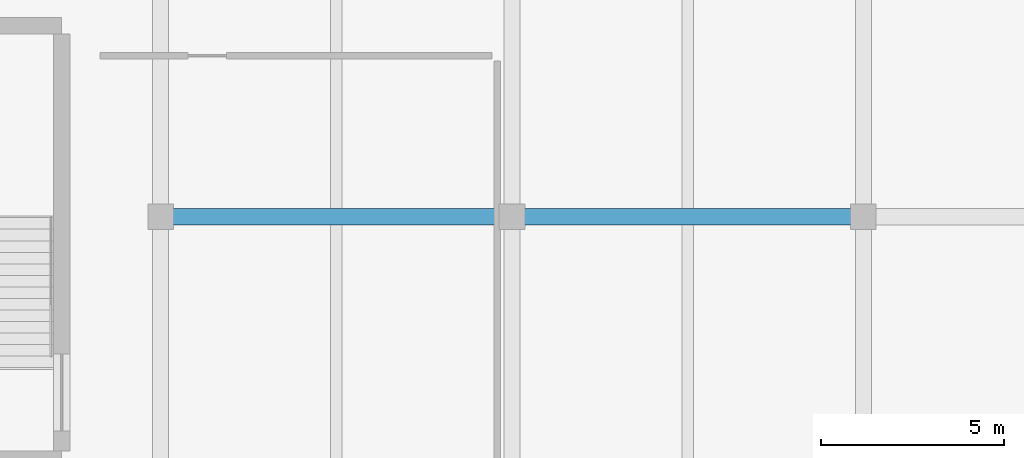
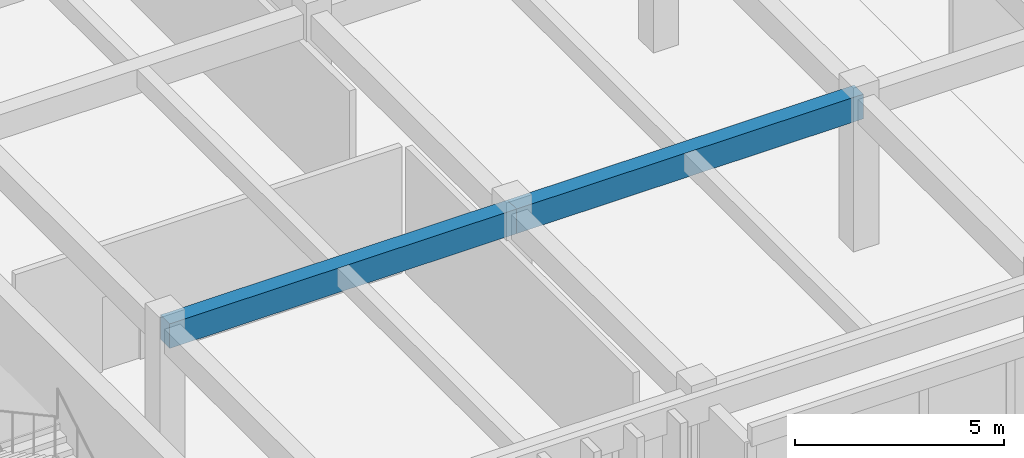
# One storey, part 54 of 133: 2 beams.
"""IFC4 building model written with IfcOpenShell, lengths in metres."""

import ifcopenshell
import ifcopenshell.guid

model = None  # the IFC model being written
_history = None  # IfcOwnerHistory: only IFC2X3 demands one
_inside = {}  # id of a spatial element -> (the spatial element, [elements in it])
_under = {}  # id of a project, library or spatial element -> (it, [spatial elements below it])
_declared = {}  # id of a project -> (the project, [libraries it declares])
_typed = {}  # id of a type object -> (the type object, [elements of that type])
_made_of = {}  # id of a material, layer set ... -> (it, [elements and type objects made of it])


def new_model(schema):
    """Start an empty IFC model of exactly this schema.

    Asked for "IFC4X3", IfcOpenShell would pick the latest addendum, in which some entities
    have other attributes; the version numbers below select the first issue.
    IFC2X3 requires an IfcOwnerHistory on every rooted entity: one is made here for all.
    """
    global model, _history
    if schema == "IFC4X3":
        model = ifcopenshell.file(schema_version=(4, 3, 0, 0))
    else:
        model = ifcopenshell.file(schema=schema)
    _inside.clear()
    _under.clear()
    _declared.clear()
    _typed.clear()
    _made_of.clear()
    _history = None
    if model.schema == "IFC2X3":
        org = make("IfcOrganization", Name="unknown")
        user = make(
            "IfcPersonAndOrganization",
            ThePerson=make("IfcPerson", FamilyName="unknown"),
            TheOrganization=org,
        )
        app = make(
            "IfcApplication",
            ApplicationDeveloper=org,
            Version="unknown",
            ApplicationFullName="unknown",
            ApplicationIdentifier="unknown",
        )
        _history = make(
            "IfcOwnerHistory",
            OwningUser=user,
            OwningApplication=app,
            ChangeAction="ADDED",
            CreationDate=0,
        )
    return model


def make(cls, **values):
    """One entity of the class cls with the attributes given. An attribute that is None is left unset."""
    return model.create_entity(
        cls, **{name: value for name, value in values.items() if value is not None}
    )


def rooted(cls, **values):
    """An entity with a GlobalId (a new one), such as an element, a storey or a relation."""
    return make(cls, GlobalId=ifcopenshell.guid.new(), OwnerHistory=_history, **values)


def si_unit(unit_type, name, prefix=None):
    """IfcSIUnit, for example si_unit("LENGTHUNIT", "METRE", prefix="MILLI")."""
    return make("IfcSIUnit", UnitType=unit_type, Prefix=prefix, Name=name)


def assignment(units):
    """IfcUnitAssignment: the units of a project."""
    return None if units is None else make("IfcUnitAssignment", Units=units)


def point(xyz):
    """IfcCartesianPoint."""
    return None if xyz is None else make("IfcCartesianPoint", Coordinates=xyz)


def direction(xyz):
    """IfcDirection."""
    return None if xyz is None else make("IfcDirection", DirectionRatios=xyz)


def frame(location, z_axis=None, x_axis=None):
    """IfcAxis2Placement3D, a coordinate frame: its origin and axes. An axis left out is left unset."""
    return make(
        "IfcAxis2Placement3D",
        Location=point(location),
        Axis=direction(z_axis),
        RefDirection=direction(x_axis),
    )


def frame_2d(location, x_axis=None):
    """IfcAxis2Placement2D, a coordinate frame in the plane: its origin and x axis."""
    return make(
        "IfcAxis2Placement2D", Location=point(location), RefDirection=direction(x_axis)
    )


def origin():
    """The frame at (0, 0, 0) with its axes left unset."""
    return frame((0.0, 0.0, 0.0))


def origin_2d():
    """The frame at (0, 0) in the plane with its x axis left unset."""
    return frame_2d((0.0, 0.0))


def place(relative_to, where):
    """IfcLocalPlacement: puts the frame where relative to a parent placement (None: the world)."""
    return make(
        "IfcLocalPlacement", PlacementRelTo=relative_to, RelativePlacement=where
    )


def context(
    kind, dimensions, precision=None, world=None, true_north=None, identifier=None
):
    """IfcGeometricRepresentationContext, for example the 3D "Model" context."""
    return make(
        "IfcGeometricRepresentationContext",
        ContextIdentifier=identifier,
        ContextType=kind,
        CoordinateSpaceDimension=dimensions,
        Precision=precision,
        WorldCoordinateSystem=world,
        TrueNorth=true_north,
    )


def subcontext(parent, identifier, kind, view, scale=None):
    """IfcGeometricRepresentationSubContext, for example "Body" below "Model"."""
    return make(
        "IfcGeometricRepresentationSubContext",
        ContextIdentifier=identifier,
        ContextType=kind,
        ParentContext=parent,
        TargetScale=scale,
        TargetView=view,
    )


def project(units=None, contexts=None):
    """IfcProject with its units and contexts."""
    return rooted(
        "IfcProject",
        Name="project",
        RepresentationContexts=contexts,
        UnitsInContext=assignment(units),
    )


def spatial(cls, under=None, at=None, **own):
    """A site, building, storey or space (cls), placed at a placement, below another one or the project."""
    s = rooted(cls, ObjectPlacement=at, **own)
    if under is not None:
        _under.setdefault(under.id(), (under, []))[1].append(s)
    return s


def profile(cls, at=None, kind="AREA", **sizes):
    """A parametric profile (cls). Its sizes go by their IFC names, for example OverallWidth=200.0."""
    return make(cls, ProfileType=kind, Position=at, **sizes)


def rectangle(**sizes):
    """IfcRectangleProfileDef."""
    return profile("IfcRectangleProfileDef", **sizes)


def extrude(swept, where, along, depth):
    """IfcExtrudedAreaSolid: the profile swept, set in the frame where, extruded along a direction by depth."""
    return make(
        "IfcExtrudedAreaSolid",
        SweptArea=swept,
        Position=where,
        ExtrudedDirection=direction(along),
        Depth=depth,
    )


def shape(context_of_items, identifier, shape_type, items):
    """IfcShapeRepresentation: the items that make up one representation, for example the "Body"."""
    return make(
        "IfcShapeRepresentation",
        ContextOfItems=context_of_items,
        RepresentationIdentifier=identifier,
        RepresentationType=shape_type,
        Items=items,
    )


def material(Name=None, Category=None):
    """IfcMaterial."""
    return make("IfcMaterial", Name=Name, Category=Category)


def material_profile(
    of_material, cross_section, Name=None, Category=None, Priority=None
):
    """IfcMaterialProfile: a cross section and its material."""
    return make(
        "IfcMaterialProfile",
        Name=Name,
        Material=of_material,
        Profile=cross_section,
        Priority=Priority,
        Category=Category,
    )


def profile_set(profiles, Name=None, composite=None):
    """IfcMaterialProfileSet."""
    return make(
        "IfcMaterialProfileSet",
        Name=Name,
        MaterialProfiles=profiles,
        CompositeProfile=composite,
    )


def made_of(thing, what):
    """Note that an element or type object is made of a material, layer set ...; save() writes the relation."""
    if what is not None:
        _made_of.setdefault(what.id(), (what, []))[1].append(thing)
    return thing


def type_object(cls, material=None, **own):
    """A type object (cls), such as IfcWallType, which elements share."""
    return made_of(rooted(cls, **own), material)


def element(
    cls,
    number,
    at=None,
    inside=None,
    cuts=None,
    type_object=None,
    material=None,
    context=None,
    identifier="Body",
    shape_type=None,
    held_by="IfcProductDefinitionShape",
    body=None,
    shapes=None,
    **own,
):
    """One element of the class cls, such as IfcWall. Its Tag is "e" and its number.

    at: its placement. inside: the storey or other place that contains it. cuts: it is an
    opening in that element (IfcRelVoidsElement). A single representation is given by context,
    identifier, shape_type and body (its items); several are given by shapes. held_by: the class
    of the entity that holds the representations. save() writes the other relations.
    """
    e = rooted(cls, Tag="e%d" % number, ObjectPlacement=at, **own)
    if body is not None:
        shapes = [shape(context, identifier, shape_type, body)]
    if shapes is not None:
        e.Representation = make(held_by, Representations=shapes)
    if inside is not None:
        _inside.setdefault(inside.id(), (inside, []))[1].append(e)
    if cuts is not None:
        rooted(
            "IfcRelVoidsElement", RelatingBuildingElement=cuts, RelatedOpeningElement=e
        )
    if type_object is not None:
        _typed.setdefault(type_object.id(), (type_object, []))[1].append(e)
    return made_of(e, material)


def aggregate(whole, parts):
    """IfcRelAggregates: a whole, such as a stair, and the parts it consists of."""
    return rooted("IfcRelAggregates", RelatingObject=whole, RelatedObjects=parts)


def save(model, path):
    """Write the relations noted so far, then the file.

    IfcRelAggregates (storeys below a building ...), IfcRelContainedInSpatialStructure (elements
    in a storey), IfcRelDefinesByType, IfcRelAssociatesMaterial and IfcRelDeclares: one each for
    every whole, place, type object, material and project.
    """
    for whole, parts in _under.values():
        aggregate(whole, parts)
    for where, things in _inside.values():
        rooted(
            "IfcRelContainedInSpatialStructure",
            RelatedElements=things,
            RelatingStructure=where,
        )
    for kind, things in _typed.values():
        rooted("IfcRelDefinesByType", RelatedObjects=things, RelatingType=kind)
    for what, things in _made_of.values():
        rooted("IfcRelAssociatesMaterial", RelatedObjects=things, RelatingMaterial=what)
    for by, libraries in _declared.values():
        rooted("IfcRelDeclares", RelatingContext=by, RelatedDefinitions=libraries)
    model.write(path)


model = new_model("IFC4")

# Units and contexts
model_context = context("Model", 3, precision=1e-05, world=origin(), true_north=direction((0.0, 1.0)))
body_context = subcontext(model_context, "Body", "Model", "MODEL_VIEW")
ifc_project = project(units=[si_unit("LENGTHUNIT", "METRE"), si_unit("AREAUNIT", "SQUARE_METRE"), si_unit("VOLUMEUNIT", "CUBIC_METRE"), si_unit("PLANEANGLEUNIT", "RADIAN"), si_unit("MASSUNIT", "GRAM", prefix="KILO")], contexts=[model_context])

# Site, building, storey
site_placement = place(None, origin())
site = spatial("IfcSite", under=ifc_project, at=site_placement, CompositionType="ELEMENT")
building_placement = place(site_placement, origin())
building = spatial("IfcBuilding", under=site, at=building_placement, Name="Nakhvara Creek Congress Hotel", CompositionType="ELEMENT")
storey_placement = place(building_placement, frame((0.0, 0.0, 11.39990234375)))
storey = spatial("IfcBuildingStorey", under=building, at=storey_placement, Name="L02", CompositionType="ELEMENT", Elevation=11.39990234375)

# Beams
ifc_material = material(Name="Concrete C40/50", Category="concrete")
ifc_material_profile = material_profile(ifc_material, rectangle(XDim=0.43994140625, YDim=0.719970703125, at=origin_2d()), Name="RC-BM 440x720", Category="LoadBearing")
ifc_profile_set = profile_set([ifc_material_profile], Name="Concrete C40/50")
beam_type = type_object("IfcBeamType", Name="BM-RC-440X720", PredefinedType="BEAM", material=ifc_profile_set)
beam_1_placement = place(storey_placement, frame((124.800048828125, 9.60009765625, 4.06005859375), z_axis=(1.0, 0.0, 0.0), x_axis=(0.0, 1.0, 0.0)))
element("IfcBeam", 1, at=beam_1_placement, inside=storey, type_object=beam_type, Name="Beam B12-L02-1522", PredefinedType="BEAM", context=body_context, shape_type="SweptSolid", body=[
    extrude(rectangle(XDim=0.43994140625, YDim=0.719970703125, at=origin_2d()), origin(), (0.0, 0.0, 1.0), 9.599853515625),
])
beam_2_placement = place(storey_placement, frame((134.39990234375, 9.60009765625, 4.06005859375), z_axis=(1.0, 0.0, 0.0), x_axis=(0.0, 1.0, 0.0)))
element("IfcBeam", 2, at=beam_2_placement, inside=storey, type_object=beam_type, Name="Beam B12-L02-1543", PredefinedType="BEAM", context=body_context, shape_type="SweptSolid", body=[
    extrude(rectangle(XDim=0.43994140625, YDim=0.719970703125, at=origin_2d()), origin(), (0.0, 0.0, 1.0), 9.60009765625),
])

save(model, "model.ifc")
